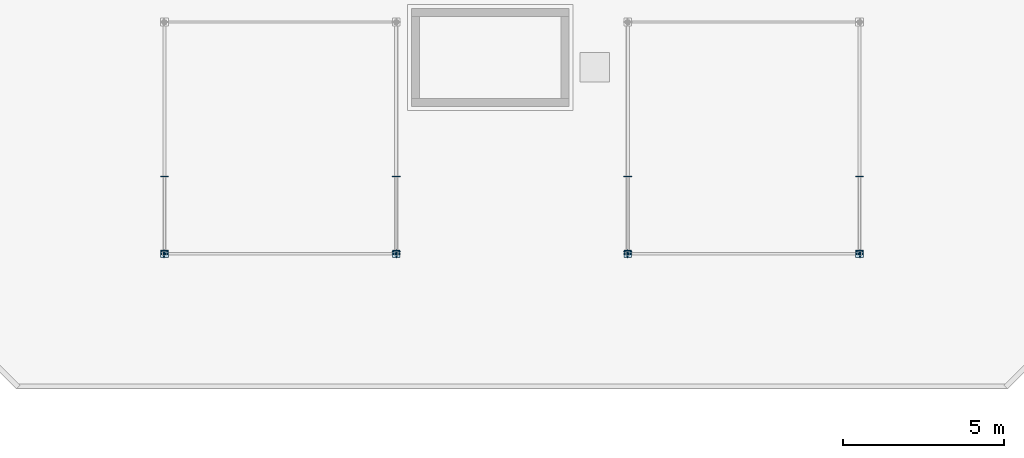
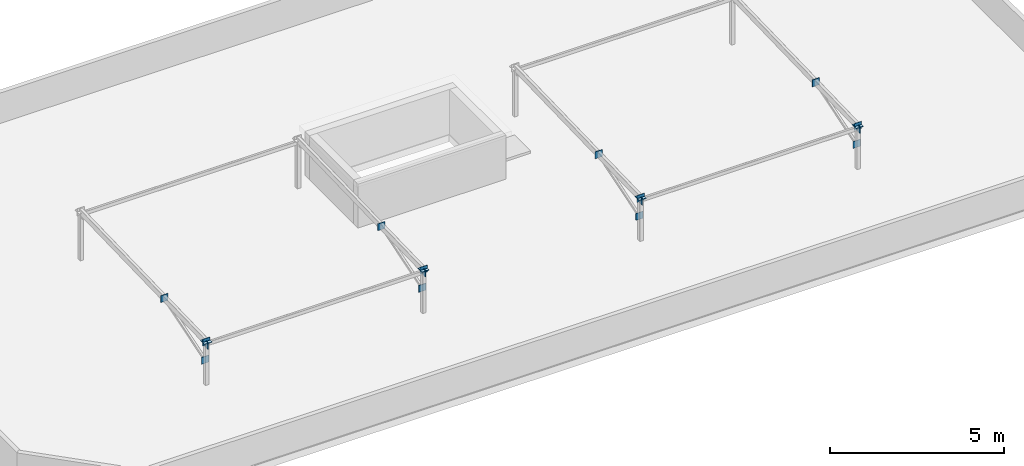
# One storey, part 19 of 43: 20 plates.
"""IFC4 building model written with IfcOpenShell, lengths in metres."""

import ifcopenshell
import ifcopenshell.guid

model = None  # the IFC model being written
_history = None  # IfcOwnerHistory: only IFC2X3 demands one
_inside = {}  # id of a spatial element -> (the spatial element, [elements in it])
_under = {}  # id of a project, library or spatial element -> (it, [spatial elements below it])
_declared = {}  # id of a project -> (the project, [libraries it declares])
_typed = {}  # id of a type object -> (the type object, [elements of that type])
_made_of = {}  # id of a material, layer set ... -> (it, [elements and type objects made of it])


def new_model(schema):
    """Start an empty IFC model of exactly this schema.

    Asked for "IFC4X3", IfcOpenShell would pick the latest addendum, in which some entities
    have other attributes; the version numbers below select the first issue.
    IFC2X3 requires an IfcOwnerHistory on every rooted entity: one is made here for all.
    """
    global model, _history
    if schema == "IFC4X3":
        model = ifcopenshell.file(schema_version=(4, 3, 0, 0))
    else:
        model = ifcopenshell.file(schema=schema)
    _inside.clear()
    _under.clear()
    _declared.clear()
    _typed.clear()
    _made_of.clear()
    _history = None
    if model.schema == "IFC2X3":
        org = make("IfcOrganization", Name="unknown")
        user = make(
            "IfcPersonAndOrganization",
            ThePerson=make("IfcPerson", FamilyName="unknown"),
            TheOrganization=org,
        )
        app = make(
            "IfcApplication",
            ApplicationDeveloper=org,
            Version="unknown",
            ApplicationFullName="unknown",
            ApplicationIdentifier="unknown",
        )
        _history = make(
            "IfcOwnerHistory",
            OwningUser=user,
            OwningApplication=app,
            ChangeAction="ADDED",
            CreationDate=0,
        )
    return model


def make(cls, **values):
    """One entity of the class cls with the attributes given. An attribute that is None is left unset."""
    return model.create_entity(
        cls, **{name: value for name, value in values.items() if value is not None}
    )


def rooted(cls, **values):
    """An entity with a GlobalId (a new one), such as an element, a storey or a relation."""
    return make(cls, GlobalId=ifcopenshell.guid.new(), OwnerHistory=_history, **values)


def si_unit(unit_type, name, prefix=None):
    """IfcSIUnit, for example si_unit("LENGTHUNIT", "METRE", prefix="MILLI")."""
    return make("IfcSIUnit", UnitType=unit_type, Prefix=prefix, Name=name)


def assignment(units):
    """IfcUnitAssignment: the units of a project."""
    return None if units is None else make("IfcUnitAssignment", Units=units)


def point(xyz):
    """IfcCartesianPoint."""
    return None if xyz is None else make("IfcCartesianPoint", Coordinates=xyz)


def direction(xyz):
    """IfcDirection."""
    return None if xyz is None else make("IfcDirection", DirectionRatios=xyz)


def frame(location, z_axis=None, x_axis=None):
    """IfcAxis2Placement3D, a coordinate frame: its origin and axes. An axis left out is left unset."""
    return make(
        "IfcAxis2Placement3D",
        Location=point(location),
        Axis=direction(z_axis),
        RefDirection=direction(x_axis),
    )


def frame_2d(location, x_axis=None):
    """IfcAxis2Placement2D, a coordinate frame in the plane: its origin and x axis."""
    return make(
        "IfcAxis2Placement2D", Location=point(location), RefDirection=direction(x_axis)
    )


def origin():
    """The frame at (0, 0, 0) with its axes left unset."""
    return frame((0.0, 0.0, 0.0))


def origin_2d():
    """The frame at (0, 0) in the plane with its x axis left unset."""
    return frame_2d((0.0, 0.0))


def place(relative_to, where):
    """IfcLocalPlacement: puts the frame where relative to a parent placement (None: the world)."""
    return make(
        "IfcLocalPlacement", PlacementRelTo=relative_to, RelativePlacement=where
    )


def context(
    kind, dimensions, precision=None, world=None, true_north=None, identifier=None
):
    """IfcGeometricRepresentationContext, for example the 3D "Model" context."""
    return make(
        "IfcGeometricRepresentationContext",
        ContextIdentifier=identifier,
        ContextType=kind,
        CoordinateSpaceDimension=dimensions,
        Precision=precision,
        WorldCoordinateSystem=world,
        TrueNorth=true_north,
    )


def subcontext(parent, identifier, kind, view, scale=None):
    """IfcGeometricRepresentationSubContext, for example "Body" below "Model"."""
    return make(
        "IfcGeometricRepresentationSubContext",
        ContextIdentifier=identifier,
        ContextType=kind,
        ParentContext=parent,
        TargetScale=scale,
        TargetView=view,
    )


def project(units=None, contexts=None):
    """IfcProject with its units and contexts."""
    return rooted(
        "IfcProject",
        Name="project",
        RepresentationContexts=contexts,
        UnitsInContext=assignment(units),
    )


def spatial(cls, under=None, at=None, **own):
    """A site, building, storey or space (cls), placed at a placement, below another one or the project."""
    s = rooted(cls, ObjectPlacement=at, **own)
    if under is not None:
        _under.setdefault(under.id(), (under, []))[1].append(s)
    return s


def profile(cls, at=None, kind="AREA", **sizes):
    """A parametric profile (cls). Its sizes go by their IFC names, for example OverallWidth=200.0."""
    return make(cls, ProfileType=kind, Position=at, **sizes)


def rectangle(**sizes):
    """IfcRectangleProfileDef."""
    return profile("IfcRectangleProfileDef", **sizes)


def extrude(swept, where, along, depth):
    """IfcExtrudedAreaSolid: the profile swept, set in the frame where, extruded along a direction by depth."""
    return make(
        "IfcExtrudedAreaSolid",
        SweptArea=swept,
        Position=where,
        ExtrudedDirection=direction(along),
        Depth=depth,
    )


def shape(context_of_items, identifier, shape_type, items):
    """IfcShapeRepresentation: the items that make up one representation, for example the "Body"."""
    return make(
        "IfcShapeRepresentation",
        ContextOfItems=context_of_items,
        RepresentationIdentifier=identifier,
        RepresentationType=shape_type,
        Items=items,
    )


def material(Name=None, Category=None):
    """IfcMaterial."""
    return make("IfcMaterial", Name=Name, Category=Category)


def layer(
    of_material, thickness, ventilated=None, Name=None, Category=None, Priority=None
):
    """IfcMaterialLayer: one layer of a wall or slab, of a material (None: an air gap)."""
    return make(
        "IfcMaterialLayer",
        Material=of_material,
        LayerThickness=thickness,
        IsVentilated=ventilated,
        Name=Name,
        Category=Category,
        Priority=Priority,
    )


def layer_set(layers, Name=None):
    """IfcMaterialLayerSet."""
    return make("IfcMaterialLayerSet", MaterialLayers=layers, LayerSetName=Name)


def made_of(thing, what):
    """Note that an element or type object is made of a material, layer set ...; save() writes the relation."""
    if what is not None:
        _made_of.setdefault(what.id(), (what, []))[1].append(thing)
    return thing


def type_object(cls, material=None, **own):
    """A type object (cls), such as IfcWallType, which elements share."""
    return made_of(rooted(cls, **own), material)


def element(
    cls,
    number,
    at=None,
    inside=None,
    cuts=None,
    type_object=None,
    material=None,
    context=None,
    identifier="Body",
    shape_type=None,
    held_by="IfcProductDefinitionShape",
    body=None,
    shapes=None,
    **own,
):
    """One element of the class cls, such as IfcWall. Its Tag is "e" and its number.

    at: its placement. inside: the storey or other place that contains it. cuts: it is an
    opening in that element (IfcRelVoidsElement). A single representation is given by context,
    identifier, shape_type and body (its items); several are given by shapes. held_by: the class
    of the entity that holds the representations. save() writes the other relations.
    """
    e = rooted(cls, Tag="e%d" % number, ObjectPlacement=at, **own)
    if body is not None:
        shapes = [shape(context, identifier, shape_type, body)]
    if shapes is not None:
        e.Representation = make(held_by, Representations=shapes)
    if inside is not None:
        _inside.setdefault(inside.id(), (inside, []))[1].append(e)
    if cuts is not None:
        rooted(
            "IfcRelVoidsElement", RelatingBuildingElement=cuts, RelatedOpeningElement=e
        )
    if type_object is not None:
        _typed.setdefault(type_object.id(), (type_object, []))[1].append(e)
    return made_of(e, material)


def aggregate(whole, parts):
    """IfcRelAggregates: a whole, such as a stair, and the parts it consists of."""
    return rooted("IfcRelAggregates", RelatingObject=whole, RelatedObjects=parts)


def save(model, path):
    """Write the relations noted so far, then the file.

    IfcRelAggregates (storeys below a building ...), IfcRelContainedInSpatialStructure (elements
    in a storey), IfcRelDefinesByType, IfcRelAssociatesMaterial and IfcRelDeclares: one each for
    every whole, place, type object, material and project.
    """
    for whole, parts in _under.values():
        aggregate(whole, parts)
    for where, things in _inside.values():
        rooted(
            "IfcRelContainedInSpatialStructure",
            RelatedElements=things,
            RelatingStructure=where,
        )
    for kind, things in _typed.values():
        rooted("IfcRelDefinesByType", RelatedObjects=things, RelatingType=kind)
    for what, things in _made_of.values():
        rooted("IfcRelAssociatesMaterial", RelatedObjects=things, RelatingMaterial=what)
    for by, libraries in _declared.values():
        rooted("IfcRelDeclares", RelatingContext=by, RelatedDefinitions=libraries)
    model.write(path)


model = new_model("IFC4")

# Units and contexts
model_context = context("Model", 3, precision=1e-05, world=origin(), true_north=direction((0.0, 1.0)))
body_context = subcontext(model_context, "Body", "Model", "MODEL_VIEW")
ifc_project = project(units=[si_unit("LENGTHUNIT", "METRE"), si_unit("AREAUNIT", "SQUARE_METRE"), si_unit("VOLUMEUNIT", "CUBIC_METRE"), si_unit("PLANEANGLEUNIT", "RADIAN"), si_unit("MASSUNIT", "GRAM", prefix="KILO")], contexts=[model_context])

# Site, building, storey
site_placement = place(None, origin())
site = spatial("IfcSite", under=ifc_project, at=site_placement, CompositionType="ELEMENT")
building_placement = place(site_placement, origin())
building = spatial("IfcBuilding", under=site, at=building_placement, Name="Ochrevale Crest", CompositionType="ELEMENT")
storey_placement = place(building_placement, frame((0.0, 0.0, 30.75)))
storey = spatial("IfcBuildingStorey", under=building, at=storey_placement, Name="L09", CompositionType="ELEMENT", Elevation=30.75)

# Plates
ifc_material = material(Name="Steel S355", Category="steel")
ifc_layer = layer(ifc_material, 0.01611328125)
ifc_layer_set = layer_set([ifc_layer], Name="Steel S355")
plate_type = type_object("IfcPlateType", Name="PLT-CAP-16", PredefinedType="USERDEFINED", material=ifc_layer_set)
plate_1_placement = place(storey_placement, frame((7.199951171875, 21.60009765625, 1.52001953125), z_axis=(0.0, 0.0, 1.0), x_axis=(1.0, 0.0, 0.0)))
element("IfcPlate", 1, at=plate_1_placement, inside=storey, type_object=plate_type, Name="Block A solar-frame support post welded end cap plate CE", ObjectType="CAP PLATE", PredefinedType="USERDEFINED", context=body_context, shape_type="SweptSolid", body=[
    extrude(rectangle(XDim=0.239990234375, YDim=0.239990234375, at=origin_2d()), origin(), (0.0, 0.0, 1.0), 0.01611328125),
])
for number, where, z_axis, x_axis, name in (
    (2, (7.199951171875, 21.592041015625, 1.39990234375), (0.0, 0.0, 1.0), (0.0, 1.0, 0.0), "Block A solar-frame array rafter 1 welded end cap plate CS"),
    (3, (7.199951171875, 21.662353515625, 0.7275390625), (0.0, 0.0, 1.0), (0.0, 1.0, 0.0), "Block A solar-frame knee-brace strut 1 welded end cap plate CS"),
    (4, (7.199951171875, 24.007568359375, 1.46728515625), (0.0, 0.0, 1.0), (0.0, 1.0, 0.0), "Block A solar-frame knee-brace strut 1 welded end cap plate CE"),
):
    element("IfcPlate", number, at=place(storey_placement, frame(where, z_axis=z_axis, x_axis=x_axis)), inside=storey, type_object=plate_type, Name=name, ObjectType="CAP PLATE", PredefinedType="USERDEFINED", context=body_context, shape_type="SweptSolid", body=[
        extrude(rectangle(XDim=0.01611328125, YDim=0.239990234375, at=origin_2d()), origin(), (0.0, 0.0, 1.0), 0.239990234375),
    ])
plate_2_placement = place(storey_placement, frame((14.39990234375, 21.60009765625, 1.52001953125), z_axis=(0.0, 0.0, 1.0), x_axis=(1.0, 0.0, 0.0)))
element("IfcPlate", 5, at=plate_2_placement, inside=storey, type_object=plate_type, Name="Block A solar-frame support post welded end cap plate CE", ObjectType="CAP PLATE", PredefinedType="USERDEFINED", context=body_context, shape_type="SweptSolid", body=[
    extrude(rectangle(XDim=0.239990234375, YDim=0.239990234375, at=origin_2d()), origin(), (0.0, 0.0, 1.0), 0.01611328125),
])
for number, where, z_axis, x_axis, name in (
    (6, (14.39990234375, 21.592041015625, 1.39990234375), (0.0, 0.0, 1.0), (0.0, 1.0, 0.0), "Block A solar-frame array rafter 2 welded end cap plate CS"),
    (7, (14.39990234375, 21.662353515625, 0.7275390625), (0.0, 0.0, 1.0), (0.0, 1.0, 0.0), "Block A solar-frame knee-brace strut 2 welded end cap plate CS"),
    (8, (14.39990234375, 24.007568359375, 1.46728515625), (0.0, 0.0, 1.0), (0.0, 1.0, 0.0), "Block A solar-frame knee-brace strut 2 welded end cap plate CE"),
):
    element("IfcPlate", number, at=place(storey_placement, frame(where, z_axis=z_axis, x_axis=x_axis)), inside=storey, type_object=plate_type, Name=name, ObjectType="CAP PLATE", PredefinedType="USERDEFINED", context=body_context, shape_type="SweptSolid", body=[
        extrude(rectangle(XDim=0.01611328125, YDim=0.239990234375, at=origin_2d()), origin(), (0.0, 0.0, 1.0), 0.239990234375),
    ])
plate_3_placement = place(storey_placement, frame((21.60009765625, 21.60009765625, 1.52001953125), z_axis=(0.0, 0.0, 1.0), x_axis=(1.0, 0.0, 0.0)))
element("IfcPlate", 9, at=plate_3_placement, inside=storey, type_object=plate_type, Name="Block A solar-frame support post welded end cap plate CE", ObjectType="CAP PLATE", PredefinedType="USERDEFINED", context=body_context, shape_type="SweptSolid", body=[
    extrude(rectangle(XDim=0.239990234375, YDim=0.239990234375, at=origin_2d()), origin(), (0.0, 0.0, 1.0), 0.01611328125),
])
for number, where, z_axis, x_axis, name in (
    (10, (21.60009765625, 21.592041015625, 1.39990234375), (0.0, 0.0, 1.0), (0.0, 1.0, 0.0), "Block A solar-frame array rafter 3 welded end cap plate CS"),
    (11, (21.60009765625, 21.662353515625, 0.7275390625), (0.0, 0.0, 1.0), (0.0, 1.0, 0.0), "Block A solar-frame knee-brace strut 3 welded end cap plate CS"),
    (12, (21.60009765625, 24.007568359375, 1.46728515625), (0.0, 0.0, 1.0), (0.0, 1.0, 0.0), "Block A solar-frame knee-brace strut 3 welded end cap plate CE"),
):
    element("IfcPlate", number, at=place(storey_placement, frame(where, z_axis=z_axis, x_axis=x_axis)), inside=storey, type_object=plate_type, Name=name, ObjectType="CAP PLATE", PredefinedType="USERDEFINED", context=body_context, shape_type="SweptSolid", body=[
        extrude(rectangle(XDim=0.01611328125, YDim=0.239990234375, at=origin_2d()), origin(), (0.0, 0.0, 1.0), 0.239990234375),
    ])
plate_4_placement = place(storey_placement, frame((28.800048828125, 21.60009765625, 1.52001953125), z_axis=(0.0, 0.0, 1.0), x_axis=(1.0, 0.0, 0.0)))
element("IfcPlate", 13, at=plate_4_placement, inside=storey, type_object=plate_type, Name="Block A solar-frame support post welded end cap plate CE", ObjectType="CAP PLATE", PredefinedType="USERDEFINED", context=body_context, shape_type="SweptSolid", body=[
    extrude(rectangle(XDim=0.239990234375, YDim=0.239990234375, at=origin_2d()), origin(), (0.0, 0.0, 1.0), 0.01611328125),
])
for number, where, z_axis, x_axis, name in (
    (14, (28.800048828125, 21.592041015625, 1.39990234375), (0.0, 0.0, 1.0), (0.0, 1.0, 0.0), "Block A solar-frame array rafter 4 welded end cap plate CS"),
    (15, (28.800048828125, 21.662353515625, 0.7275390625), (0.0, 0.0, 1.0), (0.0, 1.0, 0.0), "Block A solar-frame knee-brace strut 4 welded end cap plate CS"),
    (16, (28.800048828125, 24.007568359375, 1.46728515625), (0.0, 0.0, 1.0), (0.0, 1.0, 0.0), "Block A solar-frame knee-brace strut 4 welded end cap plate CE"),
    (17, (7.19189453125, 21.60009765625, 1.31982421875), (0.0, 0.0, 1.0), (1.0, 0.0, 0.0), "Block A solar-frame purlin W welded end cap plate CS"),
    (18, (14.407958984375, 21.60009765625, 1.31982421875), (0.0, 0.0, 1.0), (1.0, 0.0, 0.0), "Block A solar-frame purlin W welded end cap plate CE"),
    (19, (21.592041015625, 21.60009765625, 1.31982421875), (0.0, 0.0, 1.0), (1.0, 0.0, 0.0), "Block A solar-frame purlin E welded end cap plate CS"),
    (20, (28.80810546875, 21.60009765625, 1.31982421875), (0.0, 0.0, 1.0), (1.0, 0.0, 0.0), "Block A solar-frame purlin E welded end cap plate CE"),
):
    element("IfcPlate", number, at=place(storey_placement, frame(where, z_axis=z_axis, x_axis=x_axis)), inside=storey, type_object=plate_type, Name=name, ObjectType="CAP PLATE", PredefinedType="USERDEFINED", context=body_context, shape_type="SweptSolid", body=[
        extrude(rectangle(XDim=0.01611328125, YDim=0.239990234375, at=origin_2d()), origin(), (0.0, 0.0, 1.0), 0.239990234375),
    ])

save(model, "model.ifc")
